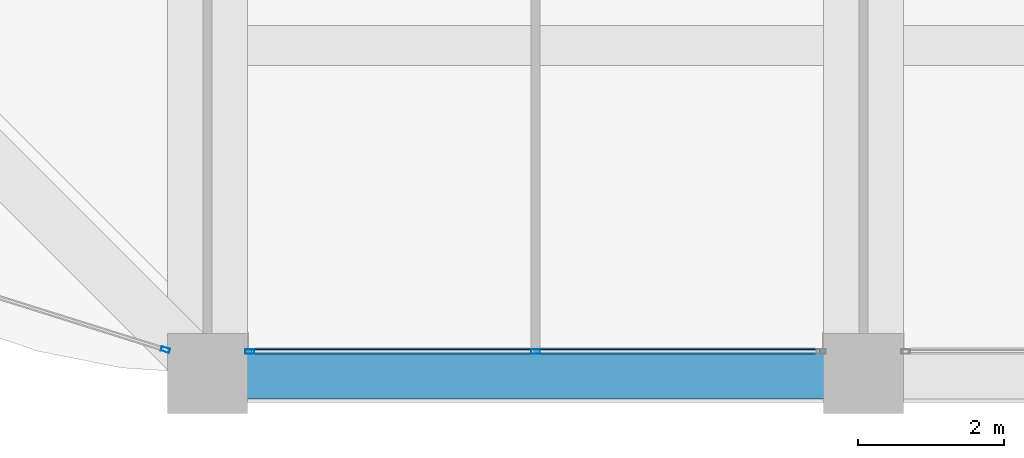
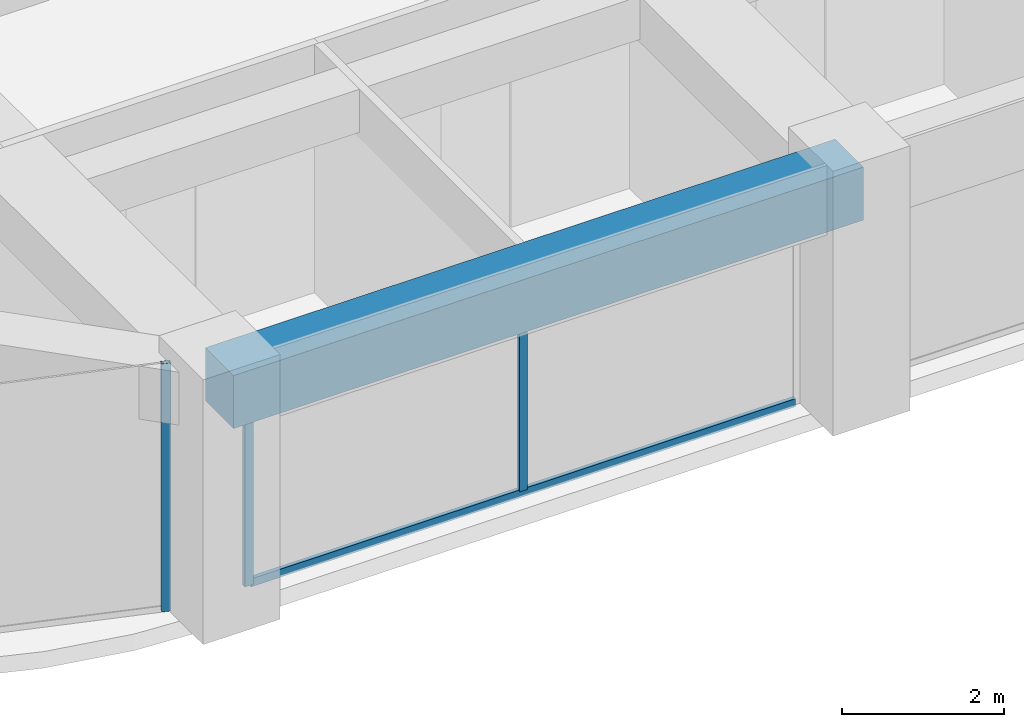
# One storey, part 4 of 44: 4 members, 1 beam, 2 elements without a shape of their own.
"""IFC4 building model written with IfcOpenShell, lengths in metres."""

from ifc_helpers import new_model, si_unit, direction, frame, origin, origin_2d, place, context, subcontext, project, spatial, rectangle, hollow_rectangle, extrude, material, material_profile, profile_set, type_object, element, aggregate, save


model = new_model("IFC4")

# Units and contexts
model_context = context("Model", 3, precision=1e-05, world=origin(), true_north=direction((0.0, 1.0)))
body_context = subcontext(model_context, "Body", "Model", "MODEL_VIEW")
ifc_project = project(units=[si_unit("LENGTHUNIT", "METRE"), si_unit("AREAUNIT", "SQUARE_METRE"), si_unit("VOLUMEUNIT", "CUBIC_METRE"), si_unit("PLANEANGLEUNIT", "RADIAN"), si_unit("MASSUNIT", "GRAM", prefix="KILO")], contexts=[model_context])

# Site, building, storey
site_placement = place(None, origin())
site = spatial("IfcSite", under=ifc_project, at=site_placement, CompositionType="ELEMENT")
building_placement = place(site_placement, origin())
building = spatial("IfcBuilding", under=site, at=building_placement, Name="Zorevar Civic Tower", CompositionType="ELEMENT")
storey_placement = place(building_placement, frame((0.0, 0.0, 295.39990234375)))
storey = spatial("IfcBuildingStorey", under=building, at=storey_placement, Name="L72", CompositionType="ELEMENT", Elevation=295.39990234375)

# Curtain wall, members
ifc_material_1 = material(Name="Dark grey solar-control glass in black aluminium frame", Category="aluminium")
curtain_wall_type = type_object("IfcCurtainWallType", Name="Curtain wall CW5 top zone", PredefinedType="NOTDEFINED", material=ifc_material_1)
curtain_wall_1_placement = place(storey_placement, origin())
curtain_wall_1 = element("IfcCurtainWall", 1, at=curtain_wall_1_placement, inside=storey, type_object=curtain_wall_type, Name="CW5 L72", PredefinedType="NOTDEFINED")
ifc_material_2 = material(Name="Aluminium, black anodised", Category="aluminium")
ifc_material_profile_1 = material_profile(ifc_material_2, hollow_rectangle(XDim=0.06005859375, YDim=0.1201171875, WallThickness=0.0029296875, at=origin_2d()), Name="AL 120x60x3")
ifc_profile_set_1 = profile_set([ifc_material_profile_1], Name="Aluminium, black anodised")
member_type_1 = type_object("IfcMemberType", Name="CW5 mullion AL 120x60x3", PredefinedType="MULLION", material=ifc_profile_set_1)
member_1_placement = place(storey_placement, frame((18.580078125, 0.300048828125, 0.0), z_axis=(0.0, 0.0, 1.0), x_axis=(0.0, 1.0, 0.0)))
member_1 = element("IfcMember", 2, at=member_1_placement, type_object=member_type_1, Name="CW5 mullion 1", PredefinedType="MULLION", context=body_context, shape_type="SweptSolid", body=[
    extrude(hollow_rectangle(XDim=0.06005859375, YDim=0.1201171875, WallThickness=0.0029296875, at=origin_2d()), origin(), (0.0, 0.0, 1.0), 2.9501953125),
])
member_2_placement = place(storey_placement, frame((22.5, 0.300048828125, 0.06005859375), z_axis=(0.0, 0.0, 1.0), x_axis=(0.0, 1.0, 0.0)))
member_2 = element("IfcMember", 3, at=member_2_placement, type_object=member_type_1, Name="CW5 mullion 2", PredefinedType="MULLION", context=body_context, shape_type="SweptSolid", body=[
    extrude(hollow_rectangle(XDim=0.06005859375, YDim=0.1201171875, WallThickness=0.0029296875, at=origin_2d()), origin(), (0.0, 0.0, 1.0), 2.89013671875),
])

# Curtain wall, member
curtain_wall_2_placement = place(storey_placement, origin())
curtain_wall_2 = element("IfcCurtainWall", 4, at=curtain_wall_2_placement, inside=storey, type_object=curtain_wall_type, Name="CW5 L72", PredefinedType="NOTDEFINED")
member_3_placement = place(storey_placement, frame((17.42138671875, 0.326416015625, 0.0), z_axis=(0.0, 0.0, 1.0), x_axis=(0.299317920238, 0.954153437674, 0.0)))
member_3 = element("IfcMember", 5, at=member_3_placement, type_object=member_type_1, Name="CW5 mullion 2", PredefinedType="MULLION", context=body_context, shape_type="SweptSolid", body=[
    extrude(hollow_rectangle(XDim=0.06005859375, YDim=0.1201171875, WallThickness=0.0029296875, at=origin_2d()), origin(), (0.0, 0.0, 1.0), 3.75),
])
aggregate(curtain_wall_2, [member_3])

# Member
ifc_material_3 = material(Name="Aluminium, black anodised", Category="aluminium")
ifc_material_profile_2 = material_profile(ifc_material_3, hollow_rectangle(XDim=0.06005859375, YDim=0.1201171875, WallThickness=0.0029296875, at=origin_2d()), Name="AL 120x60x3")
ifc_profile_set_2 = profile_set([ifc_material_profile_2], Name="Aluminium, black anodised")
member_type_2 = type_object("IfcMemberType", Name="CW5 transom AL 120x60x3", PredefinedType="USERDEFINED", material=ifc_profile_set_2)
member_4_placement = place(storey_placement, frame((18.610107421875, 0.300048828125, 0.030029296875), z_axis=(1.0, 0.0, 0.0), x_axis=(0.0, 1.0, 0.0)))
member_4 = element("IfcMember", 6, at=member_4_placement, type_object=member_type_2, Name="CW5 sill transom", ObjectType="TRANSOM", PredefinedType="USERDEFINED", context=body_context, shape_type="SweptSolid", body=[
    extrude(hollow_rectangle(XDim=0.06005859375, YDim=0.1201171875, WallThickness=0.0029296875, at=origin_2d()), origin(), (0.0, 0.0, 1.0), 7.77978515625),
])

aggregate(curtain_wall_1, [member_1, member_2, member_4])

# Beam
ifc_material_4 = material(Name="Concrete C50/60", Category="concrete")
ifc_material_profile_3 = material_profile(ifc_material_4, rectangle(XDim=0.699951171875, YDim=0.800048828125, at=origin_2d()), Name="RC 700x800")
ifc_profile_set_3 = profile_set([ifc_material_profile_3], Name="Concrete C50/60")
beam_type = type_object("IfcBeamType", Name="Edge beam RC 700x800", PredefinedType="SPANDREL", material=ifc_profile_set_3)
beam_placement = place(storey_placement, frame((18.0, 0.0, 3.35009765625), z_axis=(1.0, 0.0, 0.0), x_axis=(0.0, 1.0, 0.0)))
element("IfcBeam", 7, at=beam_placement, inside=storey, type_object=beam_type, Name="Edge beam L73", PredefinedType="SPANDREL", context=body_context, shape_type="SweptSolid", body=[
    extrude(rectangle(XDim=0.699951171875, YDim=0.800048828125, at=origin_2d()), origin(), (0.0, 0.0, 1.0), 9.0),
])

save(model, "model.ifc")
